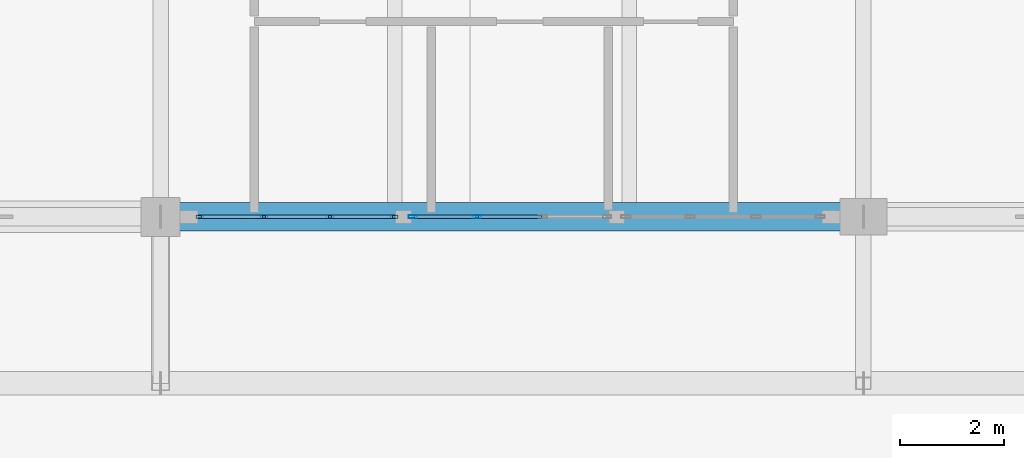
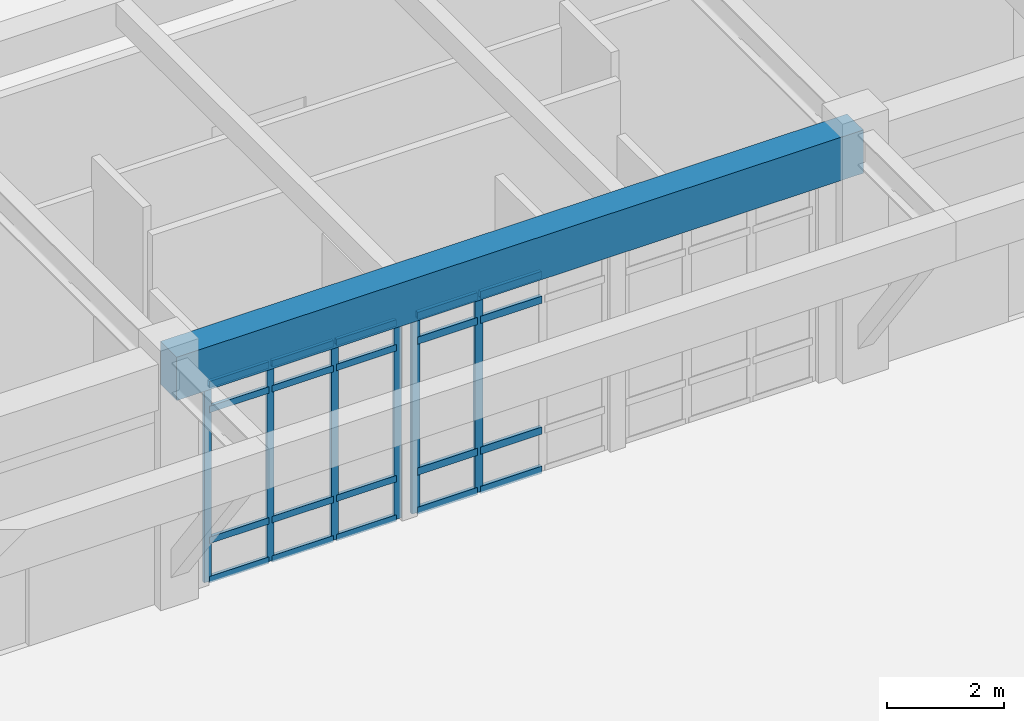
# One storey, part 17 of 138: 26 members, 1 beam, 2 elements without a shape of their own.
"""IFC4 building model written with IfcOpenShell, lengths in metres."""

from ifc_helpers import new_model, si_unit, direction, frame, origin, origin_2d, place, context, subcontext, project, spatial, rectangle, hollow_rectangle, extrude, material, layer, layer_set, material_profile, profile_set, type_object, element, aggregate, save


model = new_model("IFC4")

# Units and contexts
model_context = context("Model", 3, precision=1e-05, world=origin(), true_north=direction((0.0, 1.0)))
body_context = subcontext(model_context, "Body", "Model", "MODEL_VIEW")
ifc_project = project(units=[si_unit("LENGTHUNIT", "METRE"), si_unit("AREAUNIT", "SQUARE_METRE"), si_unit("VOLUMEUNIT", "CUBIC_METRE"), si_unit("PLANEANGLEUNIT", "RADIAN"), si_unit("MASSUNIT", "GRAM", prefix="KILO")], contexts=[model_context])

# Site, building, storey
site_placement = place(None, origin())
site = spatial("IfcSite", under=ifc_project, at=site_placement, CompositionType="ELEMENT")
building_placement = place(site_placement, origin())
building = spatial("IfcBuilding", under=site, at=building_placement, Name="Fikremerkos Civic Library", CompositionType="ELEMENT")
storey_placement = place(building_placement, origin())
storey = spatial("IfcBuildingStorey", under=building, at=storey_placement, Name="L00", CompositionType="ELEMENT", Elevation=0.0)

# Curtain wall, members
ifc_material_1 = material(Name="Anodized aluminium Frame", Category="aluminium")
ifc_layer_1 = layer(ifc_material_1, 0.159912109375, Name="Anodized aluminium Frame")
ifc_layer_set_1 = layer_set([ifc_layer_1], Name="Anodized aluminium Frame")
curtain_wall_type_1 = type_object("IfcCurtainWallType", Name="Unitised curtain wall CW-02 3900x3600", PredefinedType="USERDEFINED", material=ifc_layer_set_1)
curtain_wall_1_placement = place(storey_placement, origin())
curtain_wall_1 = element("IfcCurtainWall", 1, at=curtain_wall_1_placement, inside=storey, type_object=curtain_wall_type_1, Name="Unitised curtain wall CW-02 L00 #2", ObjectType="UNITISED CURTAIN WALL", PredefinedType="USERDEFINED")
ifc_material_profile_1 = material_profile(ifc_material_1, hollow_rectangle(XDim=0.06005859375, YDim=0.159912109375, WallThickness=0.00390625, at=origin_2d()), Name="ALU 160x60x4")
ifc_profile_set_1 = profile_set([ifc_material_profile_1], Name="Anodized aluminium Frame")
member_type_1 = type_object("IfcMemberType", Name="Curtain mullion CWM-02 ALU 160x60x4", PredefinedType="MULLION", material=ifc_profile_set_1)
member_1_placement = place(storey_placement, frame((79.2802734375, 12.0, 0.0), z_axis=(0.0, 0.0, 1.0), x_axis=(0.0, -1.0, 0.0)))
member_1 = element("IfcMember", 2, at=member_1_placement, type_object=member_type_1, Name="CW-02 mullion 3", PredefinedType="MULLION", context=body_context, shape_type="SweptSolid", body=[
    extrude(hollow_rectangle(XDim=0.06005859375, YDim=0.159912109375, WallThickness=0.00390625, at=origin_2d()), origin(), (0.0, 0.0, 1.0), 4.1201171875),
])
member_2_placement = place(storey_placement, frame((78.0458984375, 12.0, 0.0), z_axis=(0.0, 0.0, 1.0), x_axis=(0.0, -1.0, 0.0)))
member_2 = element("IfcMember", 3, at=member_2_placement, type_object=member_type_1, Name="CW-02 mullion 4", PredefinedType="MULLION", context=body_context, shape_type="SweptSolid", body=[
    extrude(hollow_rectangle(XDim=0.06005859375, YDim=0.159912109375, WallThickness=0.00390625, at=origin_2d()), origin(), (0.0, 0.0, 1.0), 4.1201171875),
])

ifc_layer_2 = layer(ifc_material_1, 0.159912109375, Name="Anodized aluminium Frame")
ifc_layer_set_2 = layer_set([ifc_layer_2], Name="Anodized aluminium Frame")
curtain_wall_type_2 = type_object("IfcCurtainWallType", Name="Unitised curtain wall CW-03 4100x3600", PredefinedType="USERDEFINED", material=ifc_layer_set_2)
curtain_wall_2_placement = place(storey_placement, origin())
curtain_wall_2 = element("IfcCurtainWall", 4, at=curtain_wall_2_placement, inside=storey, type_object=curtain_wall_type_2, Name="Unitised curtain wall CW-03 L00 #3", ObjectType="UNITISED CURTAIN WALL", PredefinedType="USERDEFINED")
ifc_material_profile_2 = material_profile(ifc_material_1, hollow_rectangle(XDim=0.06005859375, YDim=0.139892578125, WallThickness=0.00390625, at=origin_2d()), Name="ALU 140x60x4")
ifc_profile_set_2 = profile_set([ifc_material_profile_2], Name="Anodized aluminium Frame")
member_type_2 = type_object("IfcMemberType", Name="Curtain mullion CWM-03 ALU 140x60x4", PredefinedType="MULLION", material=ifc_profile_set_2)
member_3_placement = place(storey_placement, frame((77.68603515625, 12.0, 0.0), z_axis=(0.0, 0.0, 1.0), x_axis=(0.0, -1.0, 0.0)))
member_3 = element("IfcMember", 5, at=member_3_placement, type_object=member_type_2, Name="CW-03 mullion 1", PredefinedType="MULLION", context=body_context, shape_type="SweptSolid", body=[
    extrude(hollow_rectangle(XDim=0.06005859375, YDim=0.139892578125, WallThickness=0.00390625, at=origin_2d()), origin(), (0.0, 0.0, 1.0), 4.1201171875),
])
member_4_placement = place(storey_placement, frame((76.45166015625, 12.0, 0.0), z_axis=(0.0, 0.0, 1.0), x_axis=(0.0, -1.0, 0.0)))
member_4 = element("IfcMember", 6, at=member_4_placement, type_object=member_type_2, Name="CW-03 mullion 2", PredefinedType="MULLION", context=body_context, shape_type="SweptSolid", body=[
    extrude(hollow_rectangle(XDim=0.06005859375, YDim=0.139892578125, WallThickness=0.00390625, at=origin_2d()), origin(), (0.0, 0.0, 1.0), 4.1201171875),
])
member_5_placement = place(storey_placement, frame((75.187255859375, 12.0, 0.0), z_axis=(0.0, 0.0, 1.0), x_axis=(0.0, -1.0, 0.0)))
member_5 = element("IfcMember", 7, at=member_5_placement, type_object=member_type_2, Name="CW-03 mullion 3", PredefinedType="MULLION", context=body_context, shape_type="SweptSolid", body=[
    extrude(hollow_rectangle(XDim=0.06005859375, YDim=0.139892578125, WallThickness=0.00390625, at=origin_2d()), origin(), (0.0, 0.0, 1.0), 4.1201171875),
])
member_6_placement = place(storey_placement, frame((73.952880859375, 12.0, 0.0), z_axis=(0.0, 0.0, 1.0), x_axis=(0.0, -1.0, 0.0)))
member_6 = element("IfcMember", 8, at=member_6_placement, type_object=member_type_2, Name="CW-03 mullion 4", PredefinedType="MULLION", context=body_context, shape_type="SweptSolid", body=[
    extrude(hollow_rectangle(XDim=0.06005859375, YDim=0.139892578125, WallThickness=0.00390625, at=origin_2d()), origin(), (0.0, 0.0, 1.0), 4.1201171875),
])

# Member
ifc_material_profile_3 = material_profile(ifc_material_1, hollow_rectangle(XDim=0.070068359375, YDim=0.14990234375, WallThickness=0.00439453125, at=origin_2d()), Name="ALU 150x70x4.5")
ifc_profile_set_3 = profile_set([ifc_material_profile_3], Name="Anodized aluminium Frame")
member_type_3 = type_object("IfcMemberType", Name="Curtain transom CWT-01 ALU 150x70x4.5", PredefinedType="USERDEFINED", material=ifc_profile_set_3)
member_7_placement = place(storey_placement, frame((80.5146484375, 12.0, 0.034912109375), z_axis=(-1.0, 0.0, 0.0), x_axis=(0.0, -1.0, 0.0)))
member_7 = element("IfcMember", 9, at=member_7_placement, type_object=member_type_3, Name="CW-02 transom 2.1", ObjectType="TRANSOM", PredefinedType="USERDEFINED", context=body_context, shape_type="SweptSolid", body=[
    extrude(hollow_rectangle(XDim=0.070068359375, YDim=0.14990234375, WallThickness=0.00439453125, at=origin_2d()), origin(), (0.0, 0.0, 1.0), 1.204345703125),
])

member_8_placement = place(storey_placement, frame((80.5146484375, 12.0, 0.85009765625), z_axis=(-1.0, 0.0, 0.0), x_axis=(0.0, -1.0, 0.0)))
member_8 = element("IfcMember", 10, at=member_8_placement, type_object=member_type_3, Name="CW-02 transom 2.2", ObjectType="TRANSOM", PredefinedType="USERDEFINED", context=body_context, shape_type="SweptSolid", body=[
    extrude(hollow_rectangle(XDim=0.070068359375, YDim=0.14990234375, WallThickness=0.00439453125, at=origin_2d()), origin(), (0.0, 0.0, 1.0), 1.204345703125),
])

member_9_placement = place(storey_placement, frame((80.5146484375, 12.0, 3.570068359375), z_axis=(-1.0, 0.0, 0.0), x_axis=(0.0, -1.0, 0.0)))
member_9 = element("IfcMember", 11, at=member_9_placement, type_object=member_type_3, Name="CW-02 transom 2.3", ObjectType="TRANSOM", PredefinedType="USERDEFINED", context=body_context, shape_type="SweptSolid", body=[
    extrude(hollow_rectangle(XDim=0.070068359375, YDim=0.14990234375, WallThickness=0.00439453125, at=origin_2d()), origin(), (0.0, 0.0, 1.0), 1.204345703125),
])

member_10_placement = place(storey_placement, frame((80.5146484375, 12.0, 4.0849609375), z_axis=(-1.0, 0.0, 0.0), x_axis=(0.0, -1.0, 0.0)))
member_10 = element("IfcMember", 12, at=member_10_placement, type_object=member_type_3, Name="CW-02 transom 2.4", ObjectType="TRANSOM", PredefinedType="USERDEFINED", context=body_context, shape_type="SweptSolid", body=[
    extrude(hollow_rectangle(XDim=0.070068359375, YDim=0.14990234375, WallThickness=0.00439453125, at=origin_2d()), origin(), (0.0, 0.0, 1.0), 1.204345703125),
])

member_11_placement = place(storey_placement, frame((79.250244140625, 12.0, 0.034912109375), z_axis=(-1.0, 0.0, 0.0), x_axis=(0.0, -1.0, 0.0)))
member_11 = element("IfcMember", 13, at=member_11_placement, type_object=member_type_3, Name="CW-02 transom 3.1", ObjectType="TRANSOM", PredefinedType="USERDEFINED", context=body_context, shape_type="SweptSolid", body=[
    extrude(hollow_rectangle(XDim=0.070068359375, YDim=0.14990234375, WallThickness=0.00439453125, at=origin_2d()), origin(), (0.0, 0.0, 1.0), 1.17431640625),
])

member_12_placement = place(storey_placement, frame((79.250244140625, 12.0, 0.85009765625), z_axis=(-1.0, 0.0, 0.0), x_axis=(0.0, -1.0, 0.0)))
member_12 = element("IfcMember", 14, at=member_12_placement, type_object=member_type_3, Name="CW-02 transom 3.2", ObjectType="TRANSOM", PredefinedType="USERDEFINED", context=body_context, shape_type="SweptSolid", body=[
    extrude(hollow_rectangle(XDim=0.070068359375, YDim=0.14990234375, WallThickness=0.00439453125, at=origin_2d()), origin(), (0.0, 0.0, 1.0), 1.17431640625),
])

member_13_placement = place(storey_placement, frame((79.250244140625, 12.0, 3.570068359375), z_axis=(-1.0, 0.0, 0.0), x_axis=(0.0, -1.0, 0.0)))
member_13 = element("IfcMember", 15, at=member_13_placement, type_object=member_type_3, Name="CW-02 transom 3.3", ObjectType="TRANSOM", PredefinedType="USERDEFINED", context=body_context, shape_type="SweptSolid", body=[
    extrude(hollow_rectangle(XDim=0.070068359375, YDim=0.14990234375, WallThickness=0.00439453125, at=origin_2d()), origin(), (0.0, 0.0, 1.0), 1.17431640625),
])

member_14_placement = place(storey_placement, frame((79.250244140625, 12.0, 4.0849609375), z_axis=(-1.0, 0.0, 0.0), x_axis=(0.0, -1.0, 0.0)))
member_14 = element("IfcMember", 16, at=member_14_placement, type_object=member_type_3, Name="CW-02 transom 3.4", ObjectType="TRANSOM", PredefinedType="USERDEFINED", context=body_context, shape_type="SweptSolid", body=[
    extrude(hollow_rectangle(XDim=0.070068359375, YDim=0.14990234375, WallThickness=0.00439453125, at=origin_2d()), origin(), (0.0, 0.0, 1.0), 1.17431640625),
])

aggregate(curtain_wall_1, [member_1, member_2, member_7, member_8, member_9, member_10, member_11, member_12, member_13, member_14])

ifc_material_profile_4 = material_profile(ifc_material_1, hollow_rectangle(XDim=0.06494140625, YDim=0.135009765625, WallThickness=0.00439453125, at=origin_2d()), Name="ALU 135x65x4.5")
ifc_profile_set_4 = profile_set([ifc_material_profile_4], Name="Anodized aluminium Frame")
member_type_4 = type_object("IfcMemberType", Name="Curtain transom CWT-02 ALU 135x65x4.5", PredefinedType="USERDEFINED", material=ifc_profile_set_4)
member_15_placement = place(storey_placement, frame((77.656005859375, 12.0, 0.032470703125), z_axis=(-1.0, 0.0, 0.0), x_axis=(0.0, -1.0, 0.0)))
member_15 = element("IfcMember", 17, at=member_15_placement, type_object=member_type_4, Name="CW-03 transom 1.1", ObjectType="TRANSOM", PredefinedType="USERDEFINED", context=body_context, shape_type="SweptSolid", body=[
    extrude(hollow_rectangle(XDim=0.06494140625, YDim=0.135009765625, WallThickness=0.00439453125, at=origin_2d()), origin(), (0.0, 0.0, 1.0), 1.17431640625),
])

member_16_placement = place(storey_placement, frame((77.656005859375, 12.0, 0.85009765625), z_axis=(-1.0, 0.0, 0.0), x_axis=(0.0, -1.0, 0.0)))
member_16 = element("IfcMember", 18, at=member_16_placement, type_object=member_type_4, Name="CW-03 transom 1.2", ObjectType="TRANSOM", PredefinedType="USERDEFINED", context=body_context, shape_type="SweptSolid", body=[
    extrude(hollow_rectangle(XDim=0.06494140625, YDim=0.135009765625, WallThickness=0.00439453125, at=origin_2d()), origin(), (0.0, 0.0, 1.0), 1.17431640625),
])

member_17_placement = place(storey_placement, frame((77.656005859375, 12.0, 3.570068359375), z_axis=(-1.0, 0.0, 0.0), x_axis=(0.0, -1.0, 0.0)))
member_17 = element("IfcMember", 19, at=member_17_placement, type_object=member_type_4, Name="CW-03 transom 1.3", ObjectType="TRANSOM", PredefinedType="USERDEFINED", context=body_context, shape_type="SweptSolid", body=[
    extrude(hollow_rectangle(XDim=0.06494140625, YDim=0.135009765625, WallThickness=0.00439453125, at=origin_2d()), origin(), (0.0, 0.0, 1.0), 1.17431640625),
])

member_18_placement = place(storey_placement, frame((77.656005859375, 12.0, 4.08740234375), z_axis=(-1.0, 0.0, 0.0), x_axis=(0.0, -1.0, 0.0)))
member_18 = element("IfcMember", 20, at=member_18_placement, type_object=member_type_4, Name="CW-03 transom 1.4", ObjectType="TRANSOM", PredefinedType="USERDEFINED", context=body_context, shape_type="SweptSolid", body=[
    extrude(hollow_rectangle(XDim=0.06494140625, YDim=0.135009765625, WallThickness=0.00439453125, at=origin_2d()), origin(), (0.0, 0.0, 1.0), 1.17431640625),
])

member_19_placement = place(storey_placement, frame((76.421630859375, 12.0, 0.032470703125), z_axis=(-1.0, 0.0, 0.0), x_axis=(0.0, -1.0, 0.0)))
member_19 = element("IfcMember", 21, at=member_19_placement, type_object=member_type_4, Name="CW-03 transom 2.1", ObjectType="TRANSOM", PredefinedType="USERDEFINED", context=body_context, shape_type="SweptSolid", body=[
    extrude(hollow_rectangle(XDim=0.06494140625, YDim=0.135009765625, WallThickness=0.00439453125, at=origin_2d()), origin(), (0.0, 0.0, 1.0), 1.204345703125),
])

member_20_placement = place(storey_placement, frame((76.421630859375, 12.0, 0.85009765625), z_axis=(-1.0, 0.0, 0.0), x_axis=(0.0, -1.0, 0.0)))
member_20 = element("IfcMember", 22, at=member_20_placement, type_object=member_type_4, Name="CW-03 transom 2.2", ObjectType="TRANSOM", PredefinedType="USERDEFINED", context=body_context, shape_type="SweptSolid", body=[
    extrude(hollow_rectangle(XDim=0.06494140625, YDim=0.135009765625, WallThickness=0.00439453125, at=origin_2d()), origin(), (0.0, 0.0, 1.0), 1.204345703125),
])

member_21_placement = place(storey_placement, frame((76.421630859375, 12.0, 3.570068359375), z_axis=(-1.0, 0.0, 0.0), x_axis=(0.0, -1.0, 0.0)))
member_21 = element("IfcMember", 23, at=member_21_placement, type_object=member_type_4, Name="CW-03 transom 2.3", ObjectType="TRANSOM", PredefinedType="USERDEFINED", context=body_context, shape_type="SweptSolid", body=[
    extrude(hollow_rectangle(XDim=0.06494140625, YDim=0.135009765625, WallThickness=0.00439453125, at=origin_2d()), origin(), (0.0, 0.0, 1.0), 1.204345703125),
])

member_22_placement = place(storey_placement, frame((76.421630859375, 12.0, 4.08740234375), z_axis=(-1.0, 0.0, 0.0), x_axis=(0.0, -1.0, 0.0)))
member_22 = element("IfcMember", 24, at=member_22_placement, type_object=member_type_4, Name="CW-03 transom 2.4", ObjectType="TRANSOM", PredefinedType="USERDEFINED", context=body_context, shape_type="SweptSolid", body=[
    extrude(hollow_rectangle(XDim=0.06494140625, YDim=0.135009765625, WallThickness=0.00439453125, at=origin_2d()), origin(), (0.0, 0.0, 1.0), 1.204345703125),
])

member_23_placement = place(storey_placement, frame((75.1572265625, 12.0, 0.032470703125), z_axis=(-1.0, 0.0, 0.0), x_axis=(0.0, -1.0, 0.0)))
member_23 = element("IfcMember", 25, at=member_23_placement, type_object=member_type_4, Name="CW-03 transom 3.1", ObjectType="TRANSOM", PredefinedType="USERDEFINED", context=body_context, shape_type="SweptSolid", body=[
    extrude(hollow_rectangle(XDim=0.06494140625, YDim=0.135009765625, WallThickness=0.00439453125, at=origin_2d()), origin(), (0.0, 0.0, 1.0), 1.17431640625),
])

member_24_placement = place(storey_placement, frame((75.1572265625, 12.0, 0.85009765625), z_axis=(-1.0, 0.0, 0.0), x_axis=(0.0, -1.0, 0.0)))
member_24 = element("IfcMember", 26, at=member_24_placement, type_object=member_type_4, Name="CW-03 transom 3.2", ObjectType="TRANSOM", PredefinedType="USERDEFINED", context=body_context, shape_type="SweptSolid", body=[
    extrude(hollow_rectangle(XDim=0.06494140625, YDim=0.135009765625, WallThickness=0.00439453125, at=origin_2d()), origin(), (0.0, 0.0, 1.0), 1.17431640625),
])

member_25_placement = place(storey_placement, frame((75.1572265625, 12.0, 3.570068359375), z_axis=(-1.0, 0.0, 0.0), x_axis=(0.0, -1.0, 0.0)))
member_25 = element("IfcMember", 27, at=member_25_placement, type_object=member_type_4, Name="CW-03 transom 3.3", ObjectType="TRANSOM", PredefinedType="USERDEFINED", context=body_context, shape_type="SweptSolid", body=[
    extrude(hollow_rectangle(XDim=0.06494140625, YDim=0.135009765625, WallThickness=0.00439453125, at=origin_2d()), origin(), (0.0, 0.0, 1.0), 1.17431640625),
])

member_26_placement = place(storey_placement, frame((75.1572265625, 12.0, 4.08740234375), z_axis=(-1.0, 0.0, 0.0), x_axis=(0.0, -1.0, 0.0)))
member_26 = element("IfcMember", 28, at=member_26_placement, type_object=member_type_4, Name="CW-03 transom 3.4", ObjectType="TRANSOM", PredefinedType="USERDEFINED", context=body_context, shape_type="SweptSolid", body=[
    extrude(hollow_rectangle(XDim=0.06494140625, YDim=0.135009765625, WallThickness=0.00439453125, at=origin_2d()), origin(), (0.0, 0.0, 1.0), 1.17431640625),
])

aggregate(curtain_wall_2, [member_3, member_4, member_5, member_6, member_15, member_16, member_17, member_18, member_19, member_20, member_21, member_22, member_23, member_24, member_25, member_26])

# Beam
ifc_material_2 = material(Name="Concrete C40/50", Category="concrete")
ifc_material_profile_5 = material_profile(ifc_material_2, rectangle(XDim=0.550048828125, YDim=0.89990234375, at=origin_2d()), Name="RC 550x900")
ifc_profile_set_5 = profile_set([ifc_material_profile_5], Name="Concrete C40/50")
beam_type = type_object("IfcBeamType", Name="Primary girder BM-02 RC 550x900", PredefinedType="BEAM", material=ifc_profile_set_5)
beam_placement = place(storey_placement, frame((73.199951171875, 12.0, 4.6298828125), z_axis=(1.0, 0.0, 0.0), x_axis=(0.0, 1.0, 0.0)))
element("IfcBeam", 29, at=beam_placement, inside=storey, type_object=beam_type, Name="Primary girder BM-02 L00 grid E", PredefinedType="BEAM", context=body_context, shape_type="SweptSolid", body=[
    extrude(rectangle(XDim=0.550048828125, YDim=0.89990234375, at=origin_2d()), origin(), (0.0, 0.0, 1.0), 13.5),
])

save(model, "model.ifc")
